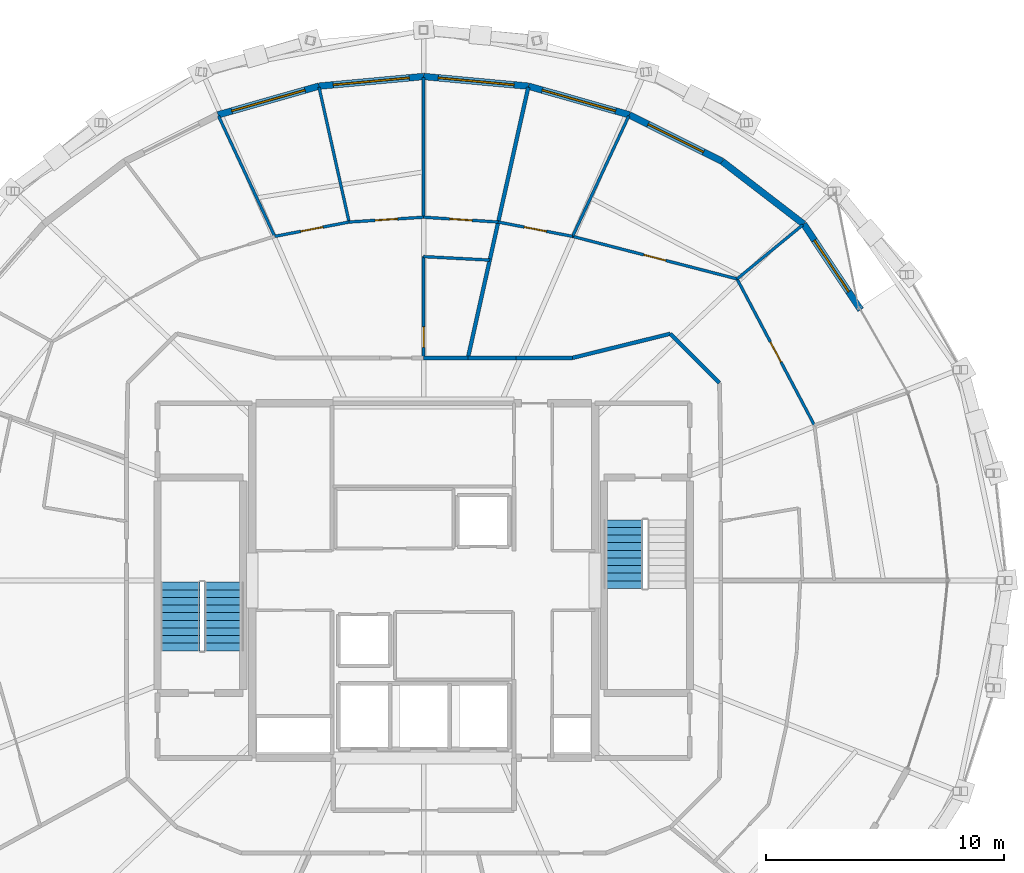
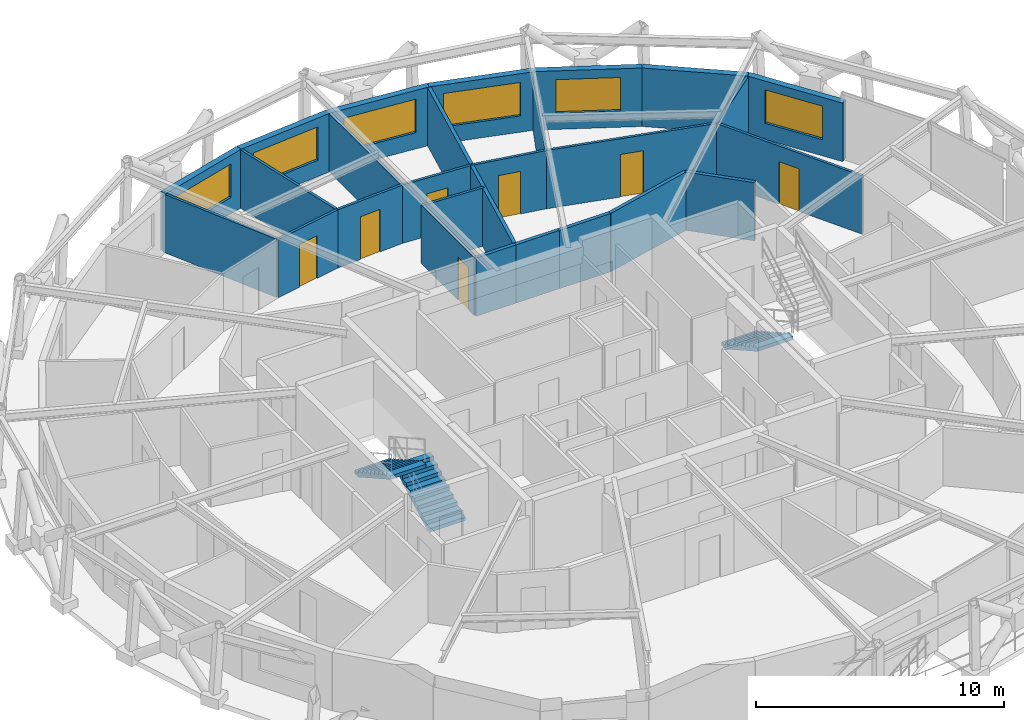
# One storey, part 15 of 17: 26 walls, 7 doors, 6 windows, 3 stair flights, 13 openings, 2 elements without a shape of their own.
"""IFC4 building model written with IfcOpenShell, lengths in metres."""

from ifc_helpers import new_model, si_unit, direction, frame, frame_2d, origin, place, context, subcontext, project, spatial, polyline, rectangle, outline, extrude, material, layer, layer_set, type_object, element, fill, aggregate, save


model = new_model("IFC4")

# Units and contexts
model_context = context("Model", 3, precision=1e-05, world=origin(), true_north=direction((0.0, 1.0)))
body_context = subcontext(model_context, "Body", "Model", "MODEL_VIEW")
ifc_project = project(units=[si_unit("LENGTHUNIT", "METRE"), si_unit("AREAUNIT", "SQUARE_METRE"), si_unit("VOLUMEUNIT", "CUBIC_METRE"), si_unit("PLANEANGLEUNIT", "RADIAN"), si_unit("MASSUNIT", "GRAM", prefix="KILO")], contexts=[model_context])

# Site, building, storey
site_placement = place(None, origin())
site = spatial("IfcSite", under=ifc_project, at=site_placement, CompositionType="ELEMENT")
building_placement = place(site_placement, origin())
building = spatial("IfcBuilding", under=site, at=building_placement, Name="Veldorina Hangang Commons", CompositionType="ELEMENT")
storey_placement = place(building_placement, frame((0.0, 0.0, 229.199951171875)))
storey = spatial("IfcBuildingStorey", under=building, at=storey_placement, Name="L59", CompositionType="ELEMENT", Elevation=229.199951171875)

# Wall, opening, window
ifc_material_1 = material(Name="Stone Roman Travertine", Category="masonry")
ifc_layer_1 = layer(ifc_material_1, 0.280029296875)
ifc_layer_set_1 = layer_set([ifc_layer_1], Name="Stone Roman Travertine")
wall_type_1 = type_object("IfcWallType", Name="EW-TRAV-280", PredefinedType="STANDARD", material=ifc_layer_set_1)
wall_1_placement = place(storey_placement, frame((50.35498046875, 35.373779296875, 0.0), z_axis=(0.0, 0.0, 1.0), x_axis=(-0.553982581877, 0.832528257164, 0.0)))
wall_1 = element("IfcWall", 1, at=wall_1_placement, inside=storey, type_object=wall_type_1, Name="L59 travertine facade wall 03", PredefinedType="STANDARD", context=body_context, shape_type="SweptSolid", body=[
    extrude(rectangle(XDim=4.3193359375, YDim=0.280029296875, at=frame_2d((2.15966796875, 0.0))), origin(), (0.0, 0.0, 1.0), 2.880126953125),
])
opening_1_placement = place(wall_1_placement, frame((0.905517578125, 0.0, 0.800048828125)))
opening_1 = element("IfcOpeningElement", 2, at=opening_1_placement, cuts=wall_1, Name="Opening W-02", PredefinedType="OPENING", context=body_context, shape_type="SweptSolid", body=[
    extrude(rectangle(XDim=2.60009765625, YDim=1.64990234375, at=frame_2d((1.300048828125, 0.824951171875))), frame((0.0, 0.14990234375, 0.0), z_axis=(0.0, -1.0, 0.0), x_axis=(1.0, 0.0, 0.0)), (0.0, 0.0, 1.0), 0.300048828125),
])
ifc_material_2 = material(Name="Glass Low-E Triple IGU", Category="glass")
window_type_1 = type_object("IfcWindowType", Name="WIN-TWR-2600", PartitioningType="SINGLE_PANEL", PredefinedType="WINDOW", material=ifc_material_2)
window_1_placement = place(opening_1_placement, origin())
window_1 = element("IfcWindow", 3, at=window_1_placement, inside=storey, type_object=window_type_1, Name="L59 facade window 03", OverallHeight=1.64990234375, OverallWidth=2.60009765625, PartitioningType="SINGLE_PANEL", PredefinedType="WINDOW", context=body_context, shape_type="SweptSolid", body=[
    extrude(rectangle(XDim=2.60009765625, YDim=1.64990234375, at=frame_2d((1.300048828125, 0.824951171875))), frame((0.0, 0.030029296875, 0.0), z_axis=(0.0, -1.0, 0.0), x_axis=(1.0, 0.0, 0.0)), (0.0, 0.0, 1.0), 0.06005859375),
])
fill(opening_1, window_1)

# Wall
wall_2_placement = place(storey_placement, frame((47.962158203125, 38.9697265625, 0.0), z_axis=(0.0, 0.0, 1.0), x_axis=(-0.792451546341, 0.609934870869, 0.0)))
element("IfcWall", 4, at=wall_2_placement, inside=storey, type_object=wall_type_1, Name="L59 travertine facade wall 04", PredefinedType="STANDARD", context=body_context, shape_type="SweptSolid", body=[
    extrude(rectangle(XDim=4.316650390625, YDim=0.280029296875, at=frame_2d((2.158203125, 0.0))), origin(), (0.0, 0.0, 1.0), 2.880126953125),
])

# Wall, opening, window
wall_3_placement = place(storey_placement, frame((44.54150390625, 41.6025390625, 0.0), z_axis=(0.0, 0.0, 1.0), x_axis=(-0.893979362311, 0.448108134005, 0.0)))
wall_3 = element("IfcWall", 5, at=wall_3_placement, inside=storey, type_object=wall_type_1, Name="L59 travertine facade wall 05", PredefinedType="STANDARD", context=body_context, shape_type="SweptSolid", body=[
    extrude(rectangle(XDim=4.36572265625, YDim=0.280029296875, at=frame_2d((2.182861328125, 0.0))), origin(), (0.0, 0.0, 1.0), 2.880126953125),
])
opening_2_placement = place(wall_3_placement, frame((0.8828125, 0.0, 0.800048828125)))
opening_2 = element("IfcOpeningElement", 6, at=opening_2_placement, cuts=wall_3, Name="Opening W-02", PredefinedType="OPENING", context=body_context, shape_type="SweptSolid", body=[
    extrude(rectangle(XDim=2.60009765625, YDim=1.64990234375, at=frame_2d((1.300048828125, 0.824951171875))), frame((0.0, 0.14990234375, 0.0), z_axis=(0.0, -1.0, 0.0), x_axis=(1.0, 0.0, 0.0)), (0.0, 0.0, 1.0), 0.300048828125),
])
window_2_placement = place(opening_2_placement, origin())
window_2 = element("IfcWindow", 7, at=window_2_placement, inside=storey, type_object=window_type_1, Name="L59 facade window 05", OverallHeight=1.64990234375, OverallWidth=2.60009765625, PartitioningType="SINGLE_PANEL", PredefinedType="WINDOW", context=body_context, shape_type="SweptSolid", body=[
    extrude(rectangle(XDim=2.60009765625, YDim=1.64990234375, at=frame_2d((1.300048828125, 0.824951171875))), frame((0.0, 0.030029296875, 0.0), z_axis=(0.0, -1.0, 0.0), x_axis=(1.0, 0.0, 0.0)), (0.0, 0.0, 1.0), 0.06005859375),
])
fill(opening_2, window_2)

wall_4_placement = place(storey_placement, frame((40.638671875, 43.558837890625, 0.0), z_axis=(0.0, 0.0, 1.0), x_axis=(-0.961841376219, 0.27360768811, 0.0)))
wall_4 = element("IfcWall", 8, at=wall_4_placement, inside=storey, type_object=wall_type_1, Name="L59 travertine facade wall 06", PredefinedType="STANDARD", context=body_context, shape_type="SweptSolid", body=[
    extrude(rectangle(XDim=4.402587890625, YDim=0.280029296875, at=frame_2d((2.201171875, 0.0))), origin(), (0.0, 0.0, 1.0), 2.880126953125),
])
opening_3_placement = place(wall_4_placement, frame((0.601318359375, 0.0, 0.800048828125)))
opening_3 = element("IfcOpeningElement", 9, at=opening_3_placement, cuts=wall_4, Name="Opening W-01", PredefinedType="OPENING", context=body_context, shape_type="SweptSolid", body=[
    extrude(rectangle(XDim=3.199951171875, YDim=1.64990234375, at=frame_2d((1.60009765625, 0.824951171875))), frame((0.0, 0.14990234375, 0.0), z_axis=(0.0, -1.0, 0.0), x_axis=(1.0, 0.0, 0.0)), (0.0, 0.0, 1.0), 0.300048828125),
])
window_type_2 = type_object("IfcWindowType", Name="WIN-TWR-3200", PartitioningType="SINGLE_PANEL", PredefinedType="WINDOW", material=ifc_material_2)
window_3_placement = place(opening_3_placement, origin())
window_3 = element("IfcWindow", 10, at=window_3_placement, inside=storey, type_object=window_type_2, Name="L59 facade window 06", OverallHeight=1.64990234375, OverallWidth=3.199951171875, PartitioningType="SINGLE_PANEL", PredefinedType="WINDOW", context=body_context, shape_type="SweptSolid", body=[
    extrude(rectangle(XDim=3.199951171875, YDim=1.64990234375, at=frame_2d((1.60009765625, 0.824951171875))), frame((0.0, 0.030029296875, 0.0), z_axis=(0.0, -1.0, 0.0), x_axis=(1.0, 0.0, 0.0)), (0.0, 0.0, 1.0), 0.06005859375),
])
fill(opening_3, window_3)

wall_5_placement = place(storey_placement, frame((36.404052734375, 44.763427734375, 0.0), z_axis=(0.0, 0.0, 1.0), x_axis=(-0.995757268647, 0.092018812952, 0.0)))
wall_5 = element("IfcWall", 11, at=wall_5_placement, inside=storey, type_object=wall_type_1, Name="L59 travertine facade wall 07", PredefinedType="STANDARD", context=body_context, shape_type="SweptSolid", body=[
    extrude(rectangle(XDim=4.4228515625, YDim=0.280029296875, at=frame_2d((2.21142578125, 0.0))), origin(), (0.0, 0.0, 1.0), 2.880126953125),
])
opening_4_placement = place(wall_5_placement, frame((0.611328125, 0.0, 0.800048828125)))
opening_4 = element("IfcOpeningElement", 12, at=opening_4_placement, cuts=wall_5, Name="Opening W-01", PredefinedType="OPENING", context=body_context, shape_type="SweptSolid", body=[
    extrude(rectangle(XDim=3.199951171875, YDim=1.64990234375, at=frame_2d((1.60009765625, 0.824951171875))), frame((0.0, 0.14990234375, 0.0), z_axis=(0.0, -1.0, 0.0), x_axis=(1.0, 0.0, 0.0)), (0.0, 0.0, 1.0), 0.300048828125),
])
window_4_placement = place(opening_4_placement, origin())
window_4 = element("IfcWindow", 13, at=window_4_placement, inside=storey, type_object=window_type_2, Name="L59 facade window 07", OverallHeight=1.64990234375, OverallWidth=3.199951171875, PartitioningType="SINGLE_PANEL", PredefinedType="WINDOW", context=body_context, shape_type="SweptSolid", body=[
    extrude(rectangle(XDim=3.199951171875, YDim=1.64990234375, at=frame_2d((1.60009765625, 0.824951171875))), frame((0.0, 0.030029296875, 0.0), z_axis=(0.0, -1.0, 0.0), x_axis=(1.0, 0.0, 0.0)), (0.0, 0.0, 1.0), 0.06005859375),
])
fill(opening_4, window_4)

wall_6_placement = place(storey_placement, frame((32.0, 45.17041015625, 0.0), z_axis=(0.0, 0.0, 1.0), x_axis=(-0.995757268647, -0.092018812952, 0.0)))
wall_6 = element("IfcWall", 14, at=wall_6_placement, inside=storey, type_object=wall_type_1, Name="L59 travertine facade wall 08", PredefinedType="STANDARD", context=body_context, shape_type="SweptSolid", body=[
    extrude(rectangle(XDim=4.4228515625, YDim=0.280029296875, at=frame_2d((2.21142578125, 0.0))), origin(), (0.0, 0.0, 1.0), 2.880126953125),
])
opening_5_placement = place(wall_6_placement, frame((0.611328125, 0.0, 0.800048828125)))
opening_5 = element("IfcOpeningElement", 15, at=opening_5_placement, cuts=wall_6, Name="Opening W-01", PredefinedType="OPENING", context=body_context, shape_type="SweptSolid", body=[
    extrude(rectangle(XDim=3.199951171875, YDim=1.64990234375, at=frame_2d((1.60009765625, 0.824951171875))), frame((0.0, 0.14990234375, 0.0), z_axis=(0.0, -1.0, 0.0), x_axis=(1.0, 0.0, 0.0)), (0.0, 0.0, 1.0), 0.300048828125),
])
window_5_placement = place(opening_5_placement, origin())
window_5 = element("IfcWindow", 16, at=window_5_placement, inside=storey, type_object=window_type_2, Name="L59 facade window 08", OverallHeight=1.64990234375, OverallWidth=3.199951171875, PartitioningType="SINGLE_PANEL", PredefinedType="WINDOW", context=body_context, shape_type="SweptSolid", body=[
    extrude(rectangle(XDim=3.199951171875, YDim=1.64990234375, at=frame_2d((1.60009765625, 0.824951171875))), frame((0.0, 0.030029296875, 0.0), z_axis=(0.0, -1.0, 0.0), x_axis=(1.0, 0.0, 0.0)), (0.0, 0.0, 1.0), 0.06005859375),
])
fill(opening_5, window_5)

wall_7_placement = place(storey_placement, frame((27.595947265625, 44.763427734375, 0.0), z_axis=(0.0, 0.0, 1.0), x_axis=(-0.961841376219, -0.27360768811, 0.0)))
wall_7 = element("IfcWall", 17, at=wall_7_placement, inside=storey, type_object=wall_type_1, Name="L59 travertine facade wall 09", PredefinedType="STANDARD", context=body_context, shape_type="SweptSolid", body=[
    extrude(rectangle(XDim=4.402587890625, YDim=0.280029296875, at=frame_2d((2.201171875, 0.0))), origin(), (0.0, 0.0, 1.0), 2.880126953125),
])
opening_6_placement = place(wall_7_placement, frame((0.601318359375, 0.0, 0.800048828125)))
opening_6 = element("IfcOpeningElement", 18, at=opening_6_placement, cuts=wall_7, Name="Opening W-01", PredefinedType="OPENING", context=body_context, shape_type="SweptSolid", body=[
    extrude(rectangle(XDim=3.199951171875, YDim=1.64990234375, at=frame_2d((1.60009765625, 0.824951171875))), frame((0.0, 0.14990234375, 0.0), z_axis=(0.0, -1.0, 0.0), x_axis=(1.0, 0.0, 0.0)), (0.0, 0.0, 1.0), 0.300048828125),
])
window_6_placement = place(opening_6_placement, origin())
window_6 = element("IfcWindow", 19, at=window_6_placement, inside=storey, type_object=window_type_2, Name="L59 facade window 09", OverallHeight=1.64990234375, OverallWidth=3.199951171875, PartitioningType="SINGLE_PANEL", PredefinedType="WINDOW", context=body_context, shape_type="SweptSolid", body=[
    extrude(rectangle(XDim=3.199951171875, YDim=1.64990234375, at=frame_2d((1.60009765625, 0.824951171875))), frame((0.0, 0.030029296875, 0.0), z_axis=(0.0, -1.0, 0.0), x_axis=(1.0, 0.0, 0.0)), (0.0, 0.0, 1.0), 0.06005859375),
])
fill(opening_6, window_6)

# Walls
ifc_material_3 = material(Name="Gypsum Fire-Rated Twin Stud Wall", Category="gypsum")
ifc_layer_2 = layer(ifc_material_3, 0.159912109375)
ifc_layer_set_2 = layer_set([ifc_layer_2], Name="Gypsum Fire-Rated Twin Stud Wall")
wall_type_2 = type_object("IfcWallType", Name="WL-FIRE-160", PredefinedType="SOLIDWALL", material=ifc_layer_set_2)
wall_8_placement = place(storey_placement, frame((44.4267578125, 32.30322265625, 0.0), z_axis=(0.0, 0.0, 1.0), x_axis=(-0.707106781187, 0.707106781187, 0.0)))
element("IfcWall", 20, at=wall_8_placement, inside=storey, type_object=wall_type_2, Name="L59 Compact collar outer wall 03 053", PredefinedType="SOLIDWALL", context=body_context, shape_type="SweptSolid", body=[
    extrude(rectangle(XDim=2.915771484375, YDim=0.159912109375, at=frame_2d((1.4580078125, 0.0))), origin(), (0.0, 0.0, 1.0), 2.8701171875),
])
wall_9_placement = place(storey_placement, frame((42.364990234375, 34.364990234375, 0.0), z_axis=(0.0, 0.0, 1.0), x_axis=(-0.970939799552, -0.239323850978, 0.0)))
element("IfcWall", 21, at=wall_9_placement, inside=storey, type_object=wall_type_2, Name="L59 Compact collar outer wall 04 054", PredefinedType="SOLIDWALL", context=body_context, shape_type="SweptSolid", body=[
    extrude(rectangle(XDim=4.24072265625, YDim=0.159912109375, at=frame_2d((2.120361328125, 0.0))), origin(), (0.0, 0.0, 1.0), 2.8701171875),
])
wall_10_placement = place(storey_placement, frame((38.24755859375, 33.35009765625, 0.0), z_axis=(0.0, 0.0, 1.0), x_axis=(-1.0, 0.0, 0.0)))
element("IfcWall", 22, at=wall_10_placement, inside=storey, type_object=wall_type_2, Name="L59 Compact collar outer wall 05 055", PredefinedType="SOLIDWALL", context=body_context, shape_type="SweptSolid", body=[
    extrude(rectangle(XDim=2.374755859375, YDim=0.159912109375, at=frame_2d((1.1875, 0.0))), origin(), (0.0, 0.0, 1.0), 2.8701171875),
])
wall_11_placement = place(storey_placement, frame((35.872802734375, 33.35009765625, 0.0), z_axis=(0.0, 0.0, 1.0), x_axis=(-1.0, 0.0, 0.0)))
element("IfcWall", 23, at=wall_11_placement, inside=storey, type_object=wall_type_2, Name="L59 Compact collar outer wall 06 056", PredefinedType="SOLIDWALL", context=body_context, shape_type="SweptSolid", body=[
    extrude(rectangle(XDim=2.012939453125, YDim=0.159912109375, at=frame_2d((1.00634765625, 0.0))), origin(), (0.0, 0.0, 1.0), 2.8701171875),
])
wall_12_placement = place(storey_placement, frame((33.85986328125, 33.35009765625, 0.0), z_axis=(0.0, 0.0, 1.0), x_axis=(-1.0, 0.0, 0.0)))
element("IfcWall", 24, at=wall_12_placement, inside=storey, type_object=wall_type_2, Name="L59 Compact collar outer wall 07 057", PredefinedType="SOLIDWALL", context=body_context, shape_type="SweptSolid", body=[
    extrude(rectangle(XDim=1.85986328125, YDim=0.159912109375, at=frame_2d((0.929931640625, 0.0))), origin(), (0.0, 0.0, 1.0), 2.8701171875),
])
wall_13_placement = place(storey_placement, frame((33.85986328125, 33.35009765625, 0.0), z_axis=(0.0, 0.0, 1.0), x_axis=(0.217565376415, 0.976045750457, 0.0)))
element("IfcWall", 25, at=wall_13_placement, inside=storey, type_object=wall_type_2, Name="L59 Unit party wall 07 097", PredefinedType="SOLIDWALL", context=body_context, shape_type="SweptSolid", body=[
    extrude(rectangle(XDim=11.643310546875, YDim=0.159912109375, at=frame_2d((5.82177734375, 0.0))), origin(), (0.0, 0.0, 1.0), 2.8701171875),
])

# Wall, opening, door
ifc_material_4 = material(Name="Gypsum Acoustic Stud Partition", Category="gypsum")
ifc_layer_3 = layer(ifc_material_4, 0.1201171875)
ifc_layer_set_3 = layer_set([ifc_layer_3], Name="Gypsum Acoustic Stud Partition")
wall_type_3 = type_object("IfcWallType", Name="WL-PART-120", PredefinedType="PARTITIONING", material=ifc_layer_set_3)
wall_14_placement = place(storey_placement, frame((48.4091796875, 30.5283203125, 0.0), z_axis=(0.0, 0.0, 1.0), x_axis=(-0.467391727561, 0.884050322667, 0.0)))
wall_14 = element("IfcWall", 26, at=wall_14_placement, inside=storey, type_object=wall_type_3, Name="L59 Cluster 2 bed 2 front wall 091", PredefinedType="PARTITIONING", context=body_context, shape_type="SweptSolid", body=[
    extrude(rectangle(XDim=6.944091796875, YDim=0.1201171875, at=frame_2d((3.47216796875, 0.0))), origin(), (0.0, 0.0, 1.0), 2.8701171875),
])
opening_7_placement = place(wall_14_placement, frame((2.9970703125, 0.0, 0.0)))
opening_7 = element("IfcOpeningElement", 27, at=opening_7_placement, cuts=wall_14, Name="Opening D-02", PredefinedType="OPENING", context=body_context, shape_type="SweptSolid", body=[
    extrude(rectangle(XDim=0.949951171875, YDim=2.10009765625, at=frame_2d((0.47509765625, 1.050048828125))), frame((0.0, 0.070068359375, 0.0), z_axis=(0.0, -1.0, 0.0), x_axis=(1.0, 0.0, 0.0)), (0.0, 0.0, 1.0), 0.14013671875),
])
ifc_material_5 = material(Name="Timber Solid Core Acoustic", Category="wood")
door_type_1 = type_object("IfcDoorType", Name="DR-INT-950", OperationType="SINGLE_SWING_LEFT", PredefinedType="DOOR", material=ifc_material_5)
door_1_placement = place(opening_7_placement, origin())
door_1 = element("IfcDoor", 28, at=door_1_placement, inside=storey, type_object=door_type_1, Name="L59 Cluster 2 bed 2 door 023", OperationType="SINGLE_SWING_LEFT", OverallHeight=2.10009765625, OverallWidth=0.949951171875, PredefinedType="DOOR", context=body_context, shape_type="SweptSolid", body=[
    extrude(rectangle(XDim=0.949951171875, YDim=2.10009765625, at=frame_2d((0.47509765625, 1.050048828125))), frame((0.0, 0.02490234375, 0.0), z_axis=(0.0, -1.0, 0.0), x_axis=(1.0, 0.0, 0.0)), (0.0, 0.0, 1.0), 0.050048828125),
])
fill(opening_7, door_1)

wall_15_placement = place(storey_placement, frame((45.16357421875, 36.667236328125, 0.0), z_axis=(0.0, 0.0, 1.0), x_axis=(-0.968125457117, 0.250465764689, 0.0)))
wall_15 = element("IfcWall", 29, at=wall_15_placement, inside=storey, type_object=wall_type_3, Name="L59 Cluster 2 bed 3 front wall 093", PredefinedType="PARTITIONING", context=body_context, shape_type="SweptSolid", body=[
    extrude(rectangle(XDim=7.13525390625, YDim=0.1201171875, at=frame_2d((3.567626953125, 0.0))), origin(), (0.0, 0.0, 1.0), 2.8701171875),
])
opening_8_placement = place(wall_15_placement, frame((3.092529296875, 0.0, 0.0)))
opening_8 = element("IfcOpeningElement", 30, at=opening_8_placement, cuts=wall_15, Name="Opening D-02", PredefinedType="OPENING", context=body_context, shape_type="SweptSolid", body=[
    extrude(rectangle(XDim=0.949951171875, YDim=2.10009765625, at=frame_2d((0.47509765625, 1.050048828125))), frame((0.0, 0.070068359375, 0.0), z_axis=(0.0, -1.0, 0.0), x_axis=(1.0, 0.0, 0.0)), (0.0, 0.0, 1.0), 0.14013671875),
])
door_2_placement = place(opening_8_placement, origin())
door_2 = element("IfcDoor", 31, at=door_2_placement, inside=storey, type_object=door_type_1, Name="L59 Cluster 2 bed 3 door 024", OperationType="SINGLE_SWING_RIGHT", OverallHeight=2.10009765625, OverallWidth=0.949951171875, PredefinedType="DOOR", context=body_context, shape_type="SweptSolid", body=[
    extrude(rectangle(XDim=0.949951171875, YDim=2.10009765625, at=frame_2d((0.47509765625, 1.050048828125))), frame((0.0, 0.02490234375, 0.0), z_axis=(0.0, -1.0, 0.0), x_axis=(1.0, 0.0, 0.0)), (0.0, 0.0, 1.0), 0.050048828125),
])
fill(opening_8, door_2)

# Wall
wall_16_placement = place(storey_placement, frame((45.16357421875, 36.667236328125, 0.0), z_axis=(0.0, 0.0, 1.0), x_axis=(0.772231834488, 0.635340848525, 0.0)))
element("IfcWall", 32, at=wall_16_placement, inside=storey, type_object=wall_type_3, Name="L59 Cluster 2 bed divider 2 094", PredefinedType="PARTITIONING", context=body_context, shape_type="SweptSolid", body=[
    extrude(rectangle(XDim=3.573974609375, YDim=0.1201171875, at=frame_2d((1.787109375, 0.0))), origin(), (0.0, 0.0, 1.0), 2.8701171875),
])

# Wall, opening, door
wall_17_placement = place(storey_placement, frame((38.255859375, 38.454345703125, 0.0), z_axis=(0.0, 0.0, 1.0), x_axis=(-0.981903403817, 0.189382432059, 0.0)))
wall_17 = element("IfcWall", 33, at=wall_17_placement, inside=storey, type_object=wall_type_3, Name="L59 Cluster 2 bed 4 front wall 095", PredefinedType="PARTITIONING", context=body_context, shape_type="SweptSolid", body=[
    extrude(rectangle(XDim=3.181640625, YDim=0.1201171875, at=frame_2d((1.5908203125, 0.0))), origin(), (0.0, 0.0, 1.0), 2.8701171875),
])
opening_9_placement = place(wall_17_placement, frame((1.11572265625, 0.0, 0.0)))
opening_9 = element("IfcOpeningElement", 34, at=opening_9_placement, cuts=wall_17, Name="Opening D-02", PredefinedType="OPENING", context=body_context, shape_type="SweptSolid", body=[
    extrude(rectangle(XDim=0.949951171875, YDim=2.10009765625, at=frame_2d((0.47509765625, 1.050048828125))), frame((0.0, 0.070068359375, 0.0), z_axis=(0.0, -1.0, 0.0), x_axis=(1.0, 0.0, 0.0)), (0.0, 0.0, 1.0), 0.14013671875),
])
door_3_placement = place(opening_9_placement, origin())
door_3 = element("IfcDoor", 35, at=door_3_placement, inside=storey, type_object=door_type_1, Name="L59 Cluster 2 bed 4 door 025", OperationType="SINGLE_SWING_LEFT", OverallHeight=2.10009765625, OverallWidth=0.949951171875, PredefinedType="DOOR", context=body_context, shape_type="SweptSolid", body=[
    extrude(rectangle(XDim=0.949951171875, YDim=2.10009765625, at=frame_2d((0.47509765625, 1.050048828125))), frame((0.0, 0.02490234375, 0.0), z_axis=(0.0, -1.0, 0.0), x_axis=(1.0, 0.0, 0.0)), (0.0, 0.0, 1.0), 0.050048828125),
])
fill(opening_9, door_3)

# Walls
wall_18_placement = place(storey_placement, frame((38.255859375, 38.454345703125, 0.0), z_axis=(0.0, 0.0, 1.0), x_axis=(0.422983612083, 0.906137331705, 0.0)))
element("IfcWall", 36, at=wall_18_placement, inside=storey, type_object=wall_type_3, Name="L59 Cluster 2 bed divider 3 096", PredefinedType="PARTITIONING", context=body_context, shape_type="SweptSolid", body=[
    extrude(rectangle(XDim=5.5830078125, YDim=0.1201171875, at=frame_2d((2.79150390625, 0.0))), origin(), (0.0, 0.0, 1.0), 2.8701171875),
])
wall_19_placement = place(storey_placement, frame((34.775634765625, 37.458984375, 0.0), z_axis=(0.0, 0.0, 1.0), x_axis=(-0.998614916088, 0.052614155575, 0.0)))
element("IfcWall", 37, at=wall_19_placement, inside=storey, type_object=wall_type_3, Name="L59 Cluster 3 bath front wall 098", PredefinedType="PARTITIONING", context=body_context, shape_type="SweptSolid", body=[
    extrude(rectangle(XDim=2.779541015625, YDim=0.1201171875, at=frame_2d((1.3896484375, 0.0))), origin(), (0.0, 0.0, 1.0), 2.8701171875),
])

# Wall, opening, door
wall_20_placement = place(storey_placement, frame((32.0, 33.35009765625, 0.0), z_axis=(0.0, 0.0, 1.0), x_axis=(0.0, 1.0, 0.0)))
wall_20 = element("IfcWall", 38, at=wall_20_placement, inside=storey, type_object=wall_type_3, Name="L59 Cluster 3 bath side wall 099", PredefinedType="PARTITIONING", context=body_context, shape_type="SweptSolid", body=[
    extrude(rectangle(XDim=4.255126953125, YDim=0.1201171875, at=frame_2d((2.12744140625, 0.0))), origin(), (0.0, 0.0, 1.0), 2.8701171875),
])
opening_10_placement = place(wall_20_placement, frame((0.43994140625, 0.0, 0.0)))
opening_10 = element("IfcOpeningElement", 39, at=opening_10_placement, cuts=wall_20, Name="Opening D-01", PredefinedType="OPENING", context=body_context, shape_type="SweptSolid", body=[
    extrude(rectangle(XDim=0.860107421875, YDim=2.10009765625, at=frame_2d((0.43017578125, 1.050048828125))), frame((0.0, 0.070068359375, 0.0), z_axis=(0.0, -1.0, 0.0), x_axis=(1.0, 0.0, 0.0)), (0.0, 0.0, 1.0), 0.14013671875),
])
ifc_material_6 = material(Name="Timber Moisture-Resistant Core", Category="wood")
door_type_2 = type_object("IfcDoorType", Name="DR-WET-860", OperationType="SINGLE_SWING_LEFT", PredefinedType="DOOR", material=ifc_material_6)
door_4_placement = place(opening_10_placement, origin())
door_4 = element("IfcDoor", 40, at=door_4_placement, inside=storey, type_object=door_type_2, Name="L59 Cluster 3 shared bathroom door 026", OperationType="SINGLE_SWING_RIGHT", OverallHeight=2.10009765625, OverallWidth=0.860107421875, PredefinedType="DOOR", context=body_context, shape_type="SweptSolid", body=[
    extrude(rectangle(XDim=0.860107421875, YDim=2.10009765625, at=frame_2d((0.43017578125, 1.050048828125))), frame((0.0, 0.02490234375, 0.0), z_axis=(0.0, -1.0, 0.0), x_axis=(1.0, 0.0, 0.0)), (0.0, 0.0, 1.0), 0.050048828125),
])
fill(opening_10, door_4)

wall_21_placement = place(storey_placement, frame((35.1318359375, 39.056884765625, 0.0), z_axis=(0.0, 0.0, 1.0), x_axis=(-0.997903324505, 0.064722136419, 0.0)))
wall_21 = element("IfcWall", 41, at=wall_21_placement, inside=storey, type_object=wall_type_3, Name="L59 Cluster 3 bed 1 front wall 100", PredefinedType="PARTITIONING", context=body_context, shape_type="SweptSolid", body=[
    extrude(rectangle(XDim=3.138427734375, YDim=0.1201171875, at=frame_2d((1.5693359375, 0.0))), origin(), (0.0, 0.0, 1.0), 2.8701171875),
])
opening_11_placement = place(wall_21_placement, frame((1.09423828125, 0.0, 0.0)))
opening_11 = element("IfcOpeningElement", 42, at=opening_11_placement, cuts=wall_21, Name="Opening D-02", PredefinedType="OPENING", context=body_context, shape_type="SweptSolid", body=[
    extrude(rectangle(XDim=0.949951171875, YDim=2.10009765625, at=frame_2d((0.47509765625, 1.050048828125))), frame((0.0, 0.070068359375, 0.0), z_axis=(0.0, -1.0, 0.0), x_axis=(1.0, 0.0, 0.0)), (0.0, 0.0, 1.0), 0.14013671875),
])
door_5_placement = place(opening_11_placement, origin())
door_5 = element("IfcDoor", 43, at=door_5_placement, inside=storey, type_object=door_type_1, Name="L59 Cluster 3 bed 1 door 028", OperationType="SINGLE_SWING_RIGHT", OverallHeight=2.10009765625, OverallWidth=0.949951171875, PredefinedType="DOOR", context=body_context, shape_type="SweptSolid", body=[
    extrude(rectangle(XDim=0.949951171875, YDim=2.10009765625, at=frame_2d((0.47509765625, 1.050048828125))), frame((0.0, 0.02490234375, 0.0), z_axis=(0.0, -1.0, 0.0), x_axis=(1.0, 0.0, 0.0)), (0.0, 0.0, 1.0), 0.050048828125),
])
fill(opening_11, door_5)

wall_22_placement = place(storey_placement, frame((32.0, 39.260009765625, 0.0), z_axis=(0.0, 0.0, 1.0), x_axis=(-0.997903324505, -0.064722136419, 0.0)))
wall_22 = element("IfcWall", 44, at=wall_22_placement, inside=storey, type_object=wall_type_3, Name="L59 Cluster 3 bed 2 front wall 101", PredefinedType="PARTITIONING", context=body_context, shape_type="SweptSolid", body=[
    extrude(rectangle(XDim=3.138427734375, YDim=0.1201171875, at=frame_2d((1.5693359375, 0.0))), origin(), (0.0, 0.0, 1.0), 2.8701171875),
])
opening_12_placement = place(wall_22_placement, frame((1.09423828125, 0.0, 0.0)))
opening_12 = element("IfcOpeningElement", 45, at=opening_12_placement, cuts=wall_22, Name="Opening D-02", PredefinedType="OPENING", context=body_context, shape_type="SweptSolid", body=[
    extrude(rectangle(XDim=0.949951171875, YDim=2.10009765625, at=frame_2d((0.47509765625, 1.050048828125))), frame((0.0, 0.070068359375, 0.0), z_axis=(0.0, -1.0, 0.0), x_axis=(1.0, 0.0, 0.0)), (0.0, 0.0, 1.0), 0.14013671875),
])
door_6_placement = place(opening_12_placement, origin())
door_6 = element("IfcDoor", 46, at=door_6_placement, inside=storey, type_object=door_type_1, Name="L59 Cluster 3 bed 2 door 029", OperationType="SINGLE_SWING_LEFT", OverallHeight=2.10009765625, OverallWidth=0.949951171875, PredefinedType="DOOR", context=body_context, shape_type="SweptSolid", body=[
    extrude(rectangle(XDim=0.949951171875, YDim=2.10009765625, at=frame_2d((0.47509765625, 1.050048828125))), frame((0.0, 0.02490234375, 0.0), z_axis=(0.0, -1.0, 0.0), x_axis=(1.0, 0.0, 0.0)), (0.0, 0.0, 1.0), 0.050048828125),
])
fill(opening_12, door_6)

# Wall
wall_23_placement = place(storey_placement, frame((32.0, 39.260009765625, 0.0), z_axis=(0.0, 0.0, 1.0), x_axis=(0.0, 1.0, 0.0)))
element("IfcWall", 47, at=wall_23_placement, inside=storey, type_object=wall_type_3, Name="L59 Cluster 3 bed divider 1 102", PredefinedType="PARTITIONING", context=body_context, shape_type="SweptSolid", body=[
    extrude(rectangle(XDim=5.8603515625, YDim=0.1201171875, at=frame_2d((2.93017578125, 0.0))), origin(), (0.0, 0.0, 1.0), 2.8701171875),
])

# Wall, opening, door
wall_24_placement = place(storey_placement, frame((28.8681640625, 39.056884765625, 0.0), z_axis=(0.0, 0.0, 1.0), x_axis=(-0.981903403817, -0.189382432059, 0.0)))
wall_24 = element("IfcWall", 48, at=wall_24_placement, inside=storey, type_object=wall_type_3, Name="L59 Cluster 3 bed 3 front wall 103", PredefinedType="PARTITIONING", context=body_context, shape_type="SweptSolid", body=[
    extrude(rectangle(XDim=3.181640625, YDim=0.1201171875, at=frame_2d((1.5908203125, 0.0))), origin(), (0.0, 0.0, 1.0), 2.8701171875),
])
opening_13_placement = place(wall_24_placement, frame((1.11572265625, 0.0, 0.0)))
opening_13 = element("IfcOpeningElement", 49, at=opening_13_placement, cuts=wall_24, Name="Opening D-02", PredefinedType="OPENING", context=body_context, shape_type="SweptSolid", body=[
    extrude(rectangle(XDim=0.949951171875, YDim=2.10009765625, at=frame_2d((0.47509765625, 1.050048828125))), frame((0.0, 0.070068359375, 0.0), z_axis=(0.0, -1.0, 0.0), x_axis=(1.0, 0.0, 0.0)), (0.0, 0.0, 1.0), 0.14013671875),
])
door_7_placement = place(opening_13_placement, origin())
door_7 = element("IfcDoor", 50, at=door_7_placement, inside=storey, type_object=door_type_1, Name="L59 Cluster 3 bed 3 door 030", OperationType="SINGLE_SWING_RIGHT", OverallHeight=2.10009765625, OverallWidth=0.949951171875, PredefinedType="DOOR", context=body_context, shape_type="SweptSolid", body=[
    extrude(rectangle(XDim=0.949951171875, YDim=2.10009765625, at=frame_2d((0.47509765625, 1.050048828125))), frame((0.0, 0.02490234375, 0.0), z_axis=(0.0, -1.0, 0.0), x_axis=(1.0, 0.0, 0.0)), (0.0, 0.0, 1.0), 0.050048828125),
])
fill(opening_13, door_7)

# Walls
wall_25_placement = place(storey_placement, frame((28.8681640625, 39.056884765625, 0.0), z_axis=(0.0, 0.0, 1.0), x_axis=(-0.217581504045, 0.97604215539, 0.0)))
element("IfcWall", 51, at=wall_25_placement, inside=storey, type_object=wall_type_3, Name="L59 Cluster 3 bed divider 2 104", PredefinedType="PARTITIONING", context=body_context, shape_type="SweptSolid", body=[
    extrude(rectangle(XDim=5.796630859375, YDim=0.1201171875, at=frame_2d((2.8984375, 0.0))), origin(), (0.0, 0.0, 1.0), 2.8701171875),
])
wall_26_placement = place(storey_placement, frame((25.744140625, 38.454345703125, 0.0), z_axis=(0.0, 0.0, 1.0), x_axis=(-0.422983612083, 0.906137331705, 0.0)))
element("IfcWall", 52, at=wall_26_placement, inside=storey, type_object=wall_type_3, Name="L59 Cluster 3 bed divider 3 106", PredefinedType="PARTITIONING", context=body_context, shape_type="SweptSolid", body=[
    extrude(rectangle(XDim=5.5830078125, YDim=0.1201171875, at=frame_2d((2.79150390625, 0.0))), origin(), (0.0, 0.0, 1.0), 2.8701171875),
])

# Stair, stair flights
ifc_material_7 = material(Name="Concrete C40/50", Category="concrete")
stair_type = type_object("IfcStairType", Name="STR-DOG-1650-20R", PredefinedType="HALF_TURN_STAIR", material=ifc_material_7)
stair_1_placement = place(storey_placement, origin())
stair_1 = element("IfcStair", 53, at=stair_1_placement, inside=storey, type_object=stair_type, Name="L59 Exit stair ST-1", PredefinedType="HALF_TURN_STAIR")
stair_flight_type = type_object("IfcStairFlightType", Name="SFL-STR-1650-20R", PredefinedType="STRAIGHT", material=ifc_material_7)
stair_flight_1_placement = place(storey_placement, frame((23.625, 21.050048828125, 0.0), z_axis=(0.0, 0.0, 1.0), x_axis=(0.0, 1.0, 0.0)))
stair_flight_1 = element("IfcStairFlight", 54, at=stair_flight_1_placement, type_object=stair_flight_type, Name="ST-1 flight 1", NumberOfRisers=10, NumberOfTreads=9, PredefinedType="STRAIGHT", RiserHeight=0.18, TreadLength=0.32, context=body_context, shape_type="SweptSolid", body=[
    extrude(outline(polyline([(0.0, 0.0), (0.0, 0.179931640625), (0.320068359375, 0.179931640625), (0.320068359375, 0.360107421875), (0.639892578125, 0.360107421875), (0.639892578125, 0.5400390625), (0.9599609375, 0.5400390625), (0.9599609375, 0.719970703125), (1.280029296875, 0.719970703125), (1.280029296875, 0.89990234375), (1.60009765625, 0.89990234375), (1.60009765625, 1.080078125), (1.919921875, 1.080078125), (1.919921875, 1.260009765625), (2.239990234375, 1.260009765625), (2.239990234375, 1.43994140625), (2.56005859375, 1.43994140625), (2.56005859375, 1.6201171875), (2.8798828125, 1.6201171875), (2.8798828125, 1.800048828125), (2.8798828125, 1.447998046875), (0.3056640625, 0.0), (0.0, 0.0)])), frame((0.0, 0.824951171875, 0.0), z_axis=(0.0, -1.0, 0.0), x_axis=(1.0, 0.0, 0.0)), (0.0, 0.0, 1.0), 1.64990234375),
])
stair_flight_2_placement = place(storey_placement, frame((21.77490234375, 23.929931640625, 1.800048828125), z_axis=(0.0, 0.0, 1.0), x_axis=(0.0, -1.0, 0.0)))
stair_flight_2 = element("IfcStairFlight", 55, at=stair_flight_2_placement, type_object=stair_flight_type, Name="ST-1 flight 2", NumberOfRisers=10, NumberOfTreads=9, PredefinedType="STRAIGHT", RiserHeight=0.18, TreadLength=0.32, context=body_context, shape_type="SweptSolid", body=[
    extrude(outline(polyline([(0.0, 0.0), (0.0, 0.179931640625), (0.320068359375, 0.179931640625), (0.320068359375, 0.360107421875), (0.639892578125, 0.360107421875), (0.639892578125, 0.5400390625), (0.9599609375, 0.5400390625), (0.9599609375, 0.719970703125), (1.280029296875, 0.719970703125), (1.280029296875, 0.89990234375), (1.60009765625, 0.89990234375), (1.60009765625, 1.080078125), (1.919921875, 1.080078125), (1.919921875, 1.260009765625), (2.239990234375, 1.260009765625), (2.239990234375, 1.43994140625), (2.56005859375, 1.43994140625), (2.56005859375, 1.6201171875), (2.8798828125, 1.6201171875), (2.8798828125, 1.800048828125), (2.8798828125, 1.447998046875), (0.3056640625, 0.0), (0.0, 0.0)])), frame((0.0, 0.824951171875, 0.0), z_axis=(0.0, -1.0, 0.0), x_axis=(1.0, 0.0, 0.0)), (0.0, 0.0, 1.0), 1.64990234375),
])
aggregate(stair_1, [stair_flight_1, stair_flight_2])

# Stair, stair flight
stair_2_placement = place(storey_placement, origin())
stair_2 = element("IfcStair", 56, at=stair_2_placement, inside=storey, type_object=stair_type, Name="L59 Exit stair ST-2", PredefinedType="HALF_TURN_STAIR")
stair_flight_3_placement = place(storey_placement, frame((40.375, 26.550048828125, 0.0), z_axis=(0.0, 0.0, 1.0), x_axis=(0.0, -1.0, 0.0)))
stair_flight_3 = element("IfcStairFlight", 57, at=stair_flight_3_placement, type_object=stair_flight_type, Name="ST-2 flight 1", NumberOfRisers=10, NumberOfTreads=9, PredefinedType="STRAIGHT", RiserHeight=0.18, TreadLength=0.32, context=body_context, shape_type="SweptSolid", body=[
    extrude(outline(polyline([(0.0, 0.0), (0.0, 0.179931640625), (0.320068359375, 0.179931640625), (0.320068359375, 0.360107421875), (0.639892578125, 0.360107421875), (0.639892578125, 0.5400390625), (0.9599609375, 0.5400390625), (0.9599609375, 0.719970703125), (1.280029296875, 0.719970703125), (1.280029296875, 0.89990234375), (1.60009765625, 0.89990234375), (1.60009765625, 1.080078125), (1.919921875, 1.080078125), (1.919921875, 1.260009765625), (2.239990234375, 1.260009765625), (2.239990234375, 1.43994140625), (2.56005859375, 1.43994140625), (2.56005859375, 1.6201171875), (2.8798828125, 1.6201171875), (2.8798828125, 1.800048828125), (2.8798828125, 1.447998046875), (0.3056640625, 0.0), (0.0, 0.0)])), frame((0.0, 0.824951171875, 0.0), z_axis=(0.0, -1.0, 0.0), x_axis=(1.0, 0.0, 0.0)), (0.0, 0.0, 1.0), 1.64990234375),
])
aggregate(stair_2, [stair_flight_3])

save(model, "model.ifc")
